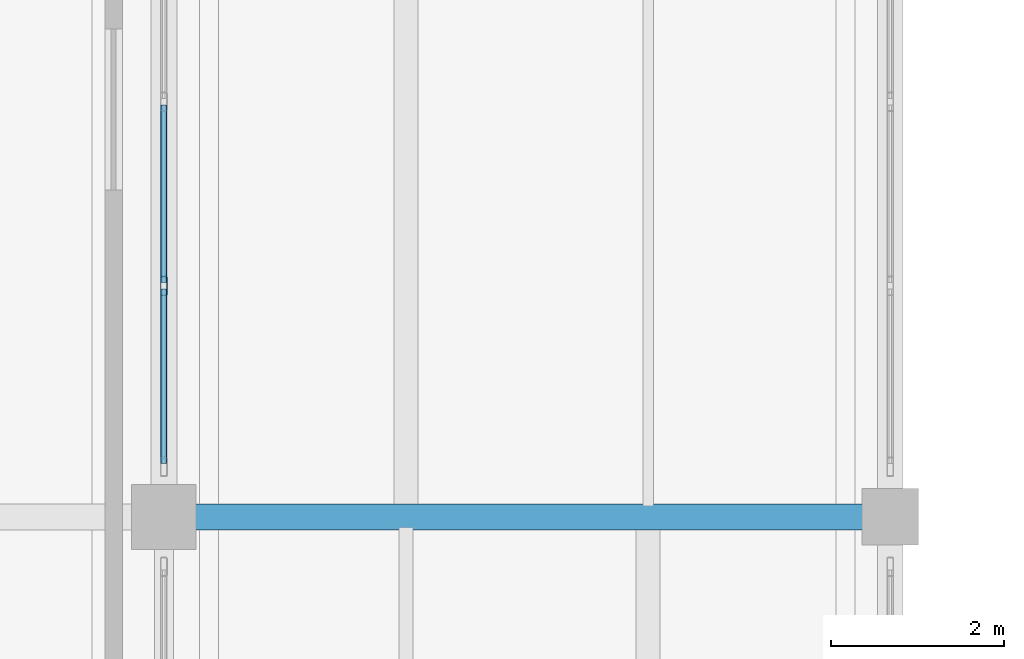
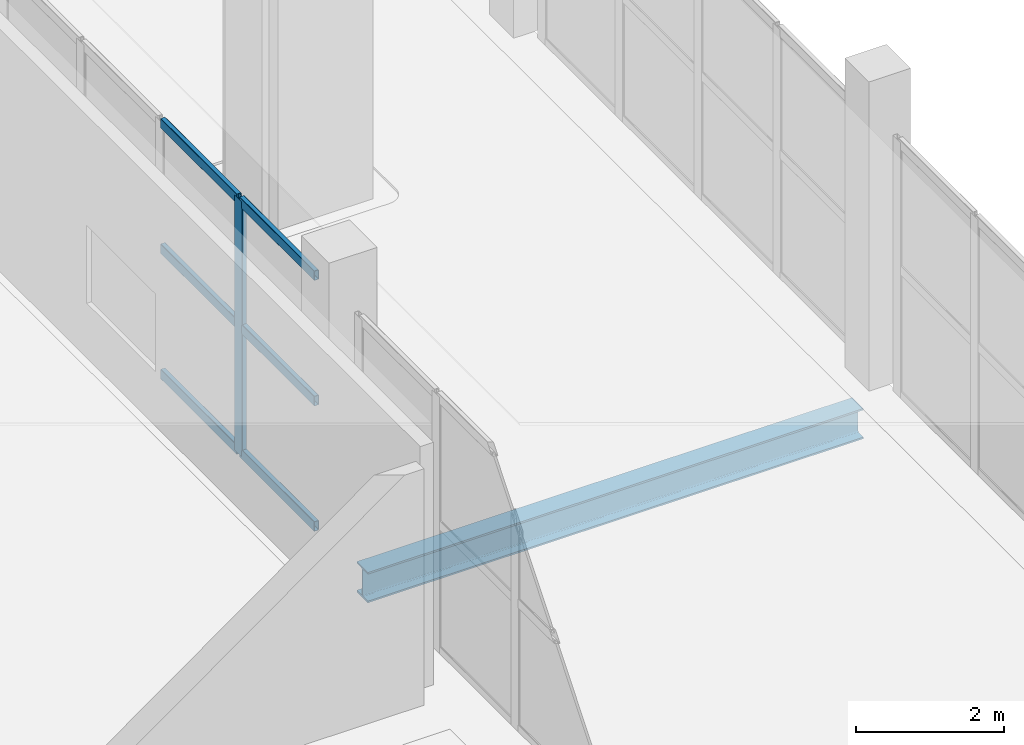
# One storey, part 12 of 73: 7 members, 1 beam, 1 element without a shape of its own.
"""IFC4 building model written with IfcOpenShell, lengths in metres."""

from ifc_helpers import new_model, si_unit, direction, frame, origin, origin_2d, place, context, subcontext, project, spatial, hollow_rectangle, i_section, extrude, material, layer, layer_set, material_profile, profile_set, type_object, element, aggregate, save


model = new_model("IFC4")

# Units and contexts
model_context = context("Model", 3, precision=1e-05, world=origin(), true_north=direction((0.0, 1.0)))
body_context = subcontext(model_context, "Body", "Model", "MODEL_VIEW")
ifc_project = project(units=[si_unit("LENGTHUNIT", "METRE"), si_unit("AREAUNIT", "SQUARE_METRE"), si_unit("VOLUMEUNIT", "CUBIC_METRE"), si_unit("PLANEANGLEUNIT", "RADIAN"), si_unit("MASSUNIT", "GRAM", prefix="KILO")], contexts=[model_context])

# Site, building, storey
site_placement = place(None, origin())
site = spatial("IfcSite", under=ifc_project, at=site_placement, CompositionType="ELEMENT")
building_placement = place(site_placement, origin())
building = spatial("IfcBuilding", under=site, at=building_placement, Name="Zulmaris Art Gallery", CompositionType="ELEMENT")
storey_placement = place(building_placement, frame((0.0, 0.0, 10.5)))
storey = spatial("IfcBuildingStorey", under=building, at=storey_placement, Name="L02", CompositionType="ELEMENT", Elevation=10.5)

# Beam
ifc_material_1 = material(Name="Steel S355J2", Category="steel")
ifc_material_profile_1 = material_profile(ifc_material_1, i_section(OverallWidth=0.300048828125, OverallDepth=0.5, WebThickness=0.014404296875, FlangeThickness=0.028076171875, FilletRadius=0.027099609375, at=origin_2d()), Name="HEB 500")
ifc_profile_set_1 = profile_set([ifc_material_profile_1], Name="Steel S355J2")
beam_type = type_object("IfcBeamType", Name="BEAM-BM14", PredefinedType="BEAM", material=ifc_profile_set_1)
beam_placement = place(storey_placement, frame((83.159912109375, 40.800048828125, -0.64501953125), z_axis=(1.0, 0.0, 0.0), x_axis=(0.0, 1.0, 0.0)))
element("IfcBeam", 1, at=beam_placement, inside=storey, type_object=beam_type, Name="L02 X-girder (82.8..91.2, y=40.8)", PredefinedType="BEAM", context=body_context, shape_type="SweptSolid", body=[
    extrude(i_section(OverallWidth=0.300048828125, OverallDepth=0.5, WebThickness=0.014404296875, FlangeThickness=0.028076171875, FilletRadius=0.027099609375, at=origin_2d()), origin(), (0.0, 0.0, 1.0), 7.72998046875),
])

# Curtain wall, members
ifc_material_2 = material(Name="Cloister & Court Glazed Curtain Wall", Category="aluminium")
ifc_layer = layer(ifc_material_2, 0.179931640625)
ifc_layer_set = layer_set([ifc_layer], Name="Cloister & Court Glazed Curtain Wall")
curtain_wall_type = type_object("IfcCurtainWallType", Name="CW-CW03", PredefinedType="NOTDEFINED", material=ifc_layer_set)
curtain_wall_placement = place(storey_placement, origin())
curtain_wall = element("IfcCurtainWall", 2, at=curtain_wall_placement, inside=storey, type_object=curtain_wall_type, Name="L02 curtain wall 81", PredefinedType="NOTDEFINED")
ifc_material_3 = material(Name="Anodised Bronze Aluminium", Category="aluminium")
ifc_material_profile_2 = material_profile(ifc_material_3, hollow_rectangle(XDim=0.074951171875, YDim=0.219970703125, WallThickness=0.0048828125, InnerFilletRadius=0.007568359375, OuterFilletRadius=0.012451171875, at=origin_2d()), Name="ALU 75x220x5")
ifc_profile_set_2 = profile_set([ifc_material_profile_2], Name="Anodised Bronze Aluminium")
member_type_1 = type_object("IfcMemberType", Name="CWMUL-02", PredefinedType="MULLION", material=ifc_profile_set_2)
member_1_placement = place(storey_placement, frame((82.800048828125, 43.469970703125, 0.0), z_axis=(0.0, 0.0, 1.0), x_axis=(-1.0, 0.0, 0.0)))
member_1 = element("IfcMember", 3, at=member_1_placement, type_object=member_type_1, Name="CW03 mullion 2", PredefinedType="MULLION", context=body_context, shape_type="SweptSolid", body=[
    extrude(hollow_rectangle(XDim=0.074951171875, YDim=0.219970703125, WallThickness=0.0048828125, InnerFilletRadius=0.007568359375, OuterFilletRadius=0.012451171875, at=origin_2d()), origin(), (0.0, 0.0, 1.0), 4.2099609375),
])
ifc_material_profile_3 = material_profile(ifc_material_3, hollow_rectangle(XDim=0.074951171875, YDim=0.159912109375, WallThickness=0.00390625, InnerFilletRadius=0.006103515625, OuterFilletRadius=0.010009765625, at=origin_2d()), Name="ALU 75x160x4")
ifc_profile_set_3 = profile_set([ifc_material_profile_3], Name="Anodised Bronze Aluminium")
member_type_2 = type_object("IfcMemberType", Name="CWTRN-02", PredefinedType="USERDEFINED", material=ifc_profile_set_3)
member_2_placement = place(storey_placement, frame((82.800048828125, 41.4150390625, 0.03759765625), z_axis=(0.0, 1.0, 0.0), x_axis=(-1.0, 0.0, 0.0)))
member_2 = element("IfcMember", 4, at=member_2_placement, type_object=member_type_2, Name="CW03 transom 1.1", ObjectType="TRANSOM", PredefinedType="USERDEFINED", context=body_context, shape_type="SweptSolid", body=[
    extrude(hollow_rectangle(XDim=0.074951171875, YDim=0.159912109375, WallThickness=0.00390625, InnerFilletRadius=0.006103515625, OuterFilletRadius=0.010009765625, at=origin_2d()), origin(), (0.0, 0.0, 1.0), 2.017578125),
])
member_3_placement = place(storey_placement, frame((82.800048828125, 41.4150390625, 2.10498046875), z_axis=(0.0, 1.0, 0.0), x_axis=(-1.0, 0.0, 0.0)))
member_3 = element("IfcMember", 5, at=member_3_placement, type_object=member_type_2, Name="CW03 transom 1.2", ObjectType="TRANSOM", PredefinedType="USERDEFINED", context=body_context, shape_type="SweptSolid", body=[
    extrude(hollow_rectangle(XDim=0.074951171875, YDim=0.159912109375, WallThickness=0.00390625, InnerFilletRadius=0.006103515625, OuterFilletRadius=0.010009765625, at=origin_2d()), origin(), (0.0, 0.0, 1.0), 2.017578125),
])
member_4_placement = place(storey_placement, frame((82.800048828125, 41.4150390625, 4.172607421875), z_axis=(0.0, 1.0, 0.0), x_axis=(-1.0, 0.0, 0.0)))
member_4 = element("IfcMember", 6, at=member_4_placement, type_object=member_type_2, Name="CW03 transom 1.3", ObjectType="TRANSOM", PredefinedType="USERDEFINED", context=body_context, shape_type="SweptSolid", body=[
    extrude(hollow_rectangle(XDim=0.074951171875, YDim=0.159912109375, WallThickness=0.00390625, InnerFilletRadius=0.006103515625, OuterFilletRadius=0.010009765625, at=origin_2d()), origin(), (0.0, 0.0, 1.0), 2.017578125),
])
member_5_placement = place(storey_placement, frame((82.800048828125, 43.507568359375, 0.03759765625), z_axis=(0.0, 1.0, 0.0), x_axis=(-1.0, 0.0, 0.0)))
member_5 = element("IfcMember", 7, at=member_5_placement, type_object=member_type_2, Name="CW03 transom 2.1", ObjectType="TRANSOM", PredefinedType="USERDEFINED", context=body_context, shape_type="SweptSolid", body=[
    extrude(hollow_rectangle(XDim=0.074951171875, YDim=0.159912109375, WallThickness=0.00390625, InnerFilletRadius=0.006103515625, OuterFilletRadius=0.010009765625, at=origin_2d()), origin(), (0.0, 0.0, 1.0), 2.054931640625),
])
member_6_placement = place(storey_placement, frame((82.800048828125, 43.507568359375, 2.10498046875), z_axis=(0.0, 1.0, 0.0), x_axis=(-1.0, 0.0, 0.0)))
member_6 = element("IfcMember", 8, at=member_6_placement, type_object=member_type_2, Name="CW03 transom 2.2", ObjectType="TRANSOM", PredefinedType="USERDEFINED", context=body_context, shape_type="SweptSolid", body=[
    extrude(hollow_rectangle(XDim=0.074951171875, YDim=0.159912109375, WallThickness=0.00390625, InnerFilletRadius=0.006103515625, OuterFilletRadius=0.010009765625, at=origin_2d()), origin(), (0.0, 0.0, 1.0), 2.054931640625),
])
member_7_placement = place(storey_placement, frame((82.800048828125, 43.507568359375, 4.172607421875), z_axis=(0.0, 1.0, 0.0), x_axis=(-1.0, 0.0, 0.0)))
member_7 = element("IfcMember", 9, at=member_7_placement, type_object=member_type_2, Name="CW03 transom 2.3", ObjectType="TRANSOM", PredefinedType="USERDEFINED", context=body_context, shape_type="SweptSolid", body=[
    extrude(hollow_rectangle(XDim=0.074951171875, YDim=0.159912109375, WallThickness=0.00390625, InnerFilletRadius=0.006103515625, OuterFilletRadius=0.010009765625, at=origin_2d()), origin(), (0.0, 0.0, 1.0), 2.054931640625),
])
aggregate(curtain_wall, [member_1, member_2, member_3, member_4, member_5, member_6, member_7])

save(model, "model.ifc")
